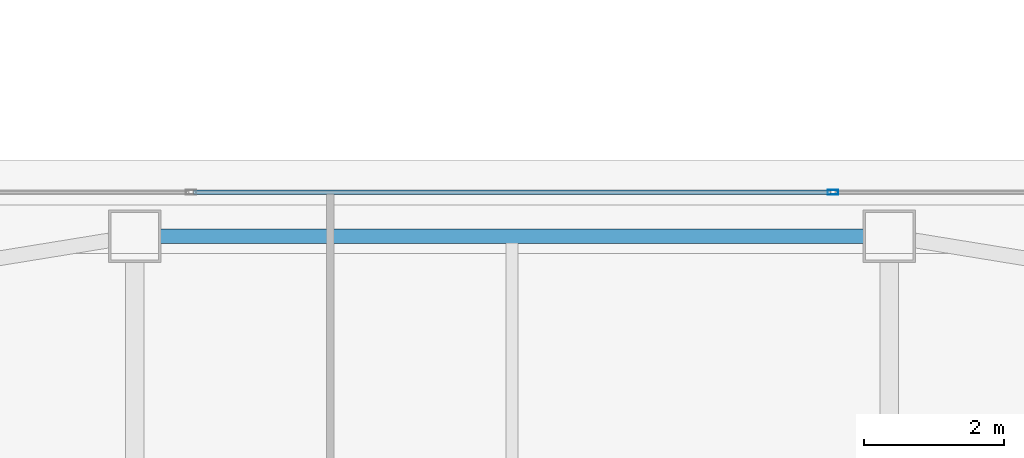
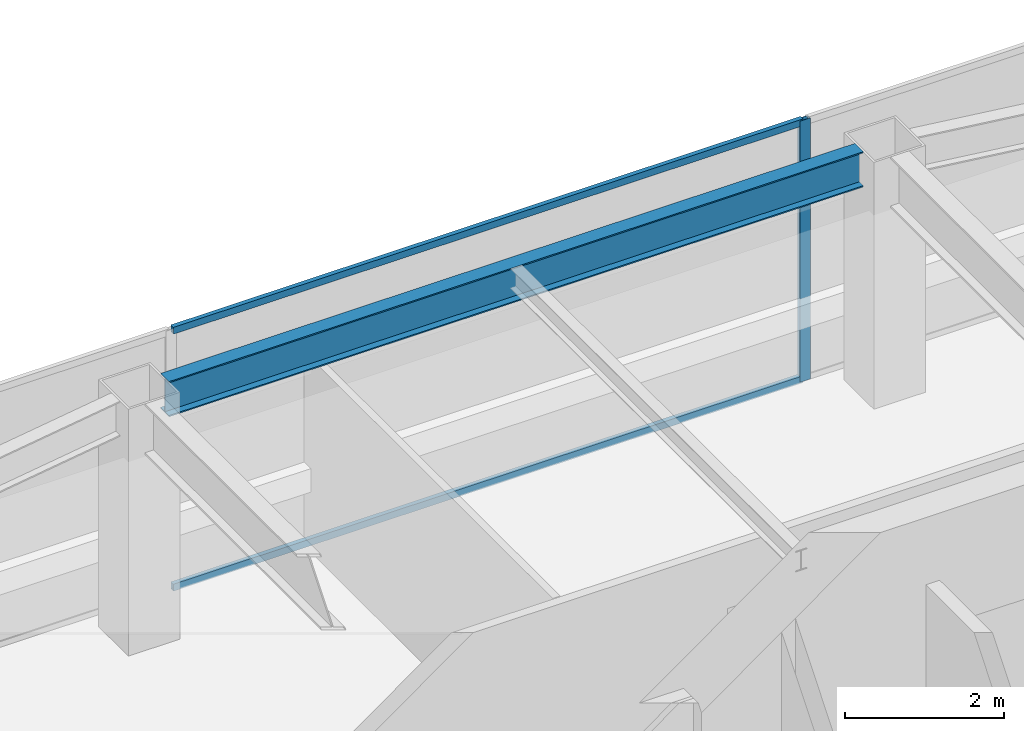
# One storey, part 19 of 53: 3 members, 1 beam, 1 element without a shape of its own.
"""IFC4 building model written with IfcOpenShell, lengths in metres."""

from ifc_helpers import new_model, si_unit, direction, frame, origin, origin_2d, place, context, subcontext, project, spatial, hollow_rectangle, i_section, extrude, material, material_profile, profile_set, type_object, element, aggregate, save


model = new_model("IFC4")

# Units and contexts
model_context = context("Model", 3, precision=1e-05, world=origin(), true_north=direction((0.0, 1.0)))
body_context = subcontext(model_context, "Body", "Model", "MODEL_VIEW")
ifc_project = project(units=[si_unit("LENGTHUNIT", "METRE"), si_unit("AREAUNIT", "SQUARE_METRE"), si_unit("VOLUMEUNIT", "CUBIC_METRE"), si_unit("PLANEANGLEUNIT", "RADIAN"), si_unit("MASSUNIT", "GRAM", prefix="KILO")], contexts=[model_context])

# Site, building, storey
site_placement = place(None, origin())
site = spatial("IfcSite", under=ifc_project, at=site_placement, CompositionType="ELEMENT")
building_placement = place(site_placement, origin())
building = spatial("IfcBuilding", under=site, at=building_placement, Name="Tashvorn Skyway Center", CompositionType="ELEMENT")
storey_placement = place(building_placement, frame((0.0, 0.0, 255.39990234375)))
storey = spatial("IfcBuildingStorey", under=building, at=storey_placement, Name="L69", CompositionType="ELEMENT", Elevation=255.39990234375)

# Beam
ifc_material_1 = material(Name="Steel ASTM A992 Grade 50", Category="steel")
ifc_material_profile_1 = material_profile(ifc_material_1, i_section(OverallWidth=0.2109375, OverallDepth=0.5390625, WebThickness=0.01171875, FlangeThickness=0.018798828125, at=origin_2d()), Name="W21X73")
ifc_profile_set_1 = profile_set([ifc_material_profile_1], Name="Steel ASTM A992 Grade 50")
beam_type = type_object("IfcBeamType", Name="BM-SPANDREL-W21X73", PredefinedType="SPANDREL", material=ifc_profile_set_1)
beam_placement = place(storey_placement, frame((47.030029296875, 47.050048828125, 3.510498046875), z_axis=(-1.0, 0.0, 0.0), x_axis=(0.0, -1.0, 0.0)))
element("IfcBeam", 1, at=beam_placement, inside=storey, type_object=beam_type, Name="Tower 1 L69 Spandrel Beam 08", PredefinedType="SPANDREL", context=body_context, shape_type="SweptSolid", body=[
    extrude(i_section(OverallWidth=0.2109375, OverallDepth=0.5390625, WebThickness=0.01171875, FlangeThickness=0.018798828125, at=origin_2d()), origin(), (0.0, 0.0, 1.0), 10.06005859375),
])

# Curtain wall, members
ifc_material_2 = material(Name="Thermally broken bronze-anodized aluminium 6063-T6", Category="aluminium")
curtain_wall_type = type_object("IfcCurtainWallType", Name="CW-CW-SKY", PredefinedType="NOTDEFINED", material=ifc_material_2)
curtain_wall_placement = place(storey_placement, origin())
curtain_wall = element("IfcCurtainWall", 2, at=curtain_wall_placement, inside=storey, type_object=curtain_wall_type, Name="Tower 1 L69 North Unitised Curtain Wall", PredefinedType="NOTDEFINED")
ifc_material_profile_2 = material_profile(ifc_material_2, hollow_rectangle(XDim=0.06494140625, YDim=0.14990234375, WallThickness=0.00390625, at=origin_2d()), Name="ALU-MULL-65x150")
ifc_profile_set_2 = profile_set([ifc_material_profile_2], Name="Thermally broken bronze-anodized aluminium 6063-T6")
member_type_1 = type_object("IfcMemberType", Name="CWM-CW-SKY", PredefinedType="MULLION", material=ifc_profile_set_2)
member_1_placement = place(storey_placement, frame((46.59326171875, 47.679931640625, 0.0), z_axis=(0.0, 0.0, 1.0), x_axis=(0.0, 1.0, 0.0)))
member_1 = element("IfcMember", 3, at=member_1_placement, type_object=member_type_1, Name="CW-SKY mullion 3", PredefinedType="MULLION", context=body_context, shape_type="SweptSolid", body=[
    extrude(hollow_rectangle(XDim=0.06494140625, YDim=0.14990234375, WallThickness=0.00390625, at=origin_2d()), origin(), (0.0, 0.0, 1.0), 4.0),
])
ifc_material_profile_3 = material_profile(ifc_material_2, hollow_rectangle(XDim=0.06494140625, YDim=0.10498046875, WallThickness=0.00390625, at=origin_2d()), Name="ALU-TRAN-65x105")
ifc_profile_set_3 = profile_set([ifc_material_profile_3], Name="Thermally broken bronze-anodized aluminium 6063-T6")
member_type_2 = type_object("IfcMemberType", Name="CWT-CW-SKY", PredefinedType="USERDEFINED", material=ifc_profile_set_3)
member_2_placement = place(storey_placement, frame((37.439208984375, 47.679931640625, 0.03271484375), z_axis=(1.0, 0.0, 0.0), x_axis=(0.0, 1.0, 0.0)))
member_2 = element("IfcMember", 4, at=member_2_placement, type_object=member_type_2, Name="CW-SKY transom 2.1", ObjectType="TRANSOM", PredefinedType="USERDEFINED", context=body_context, shape_type="SweptSolid", body=[
    extrude(hollow_rectangle(XDim=0.06494140625, YDim=0.10498046875, WallThickness=0.00390625, at=origin_2d()), origin(), (0.0, 0.0, 1.0), 9.12158203125),
])
member_3_placement = place(storey_placement, frame((37.439208984375, 47.679931640625, 3.967529296875), z_axis=(1.0, 0.0, 0.0), x_axis=(0.0, 1.0, 0.0)))
member_3 = element("IfcMember", 5, at=member_3_placement, type_object=member_type_2, Name="CW-SKY transom 2.2", ObjectType="TRANSOM", PredefinedType="USERDEFINED", context=body_context, shape_type="SweptSolid", body=[
    extrude(hollow_rectangle(XDim=0.06494140625, YDim=0.10498046875, WallThickness=0.00390625, at=origin_2d()), origin(), (0.0, 0.0, 1.0), 9.12158203125),
])
aggregate(curtain_wall, [member_1, member_2, member_3])

save(model, "model.ifc")
